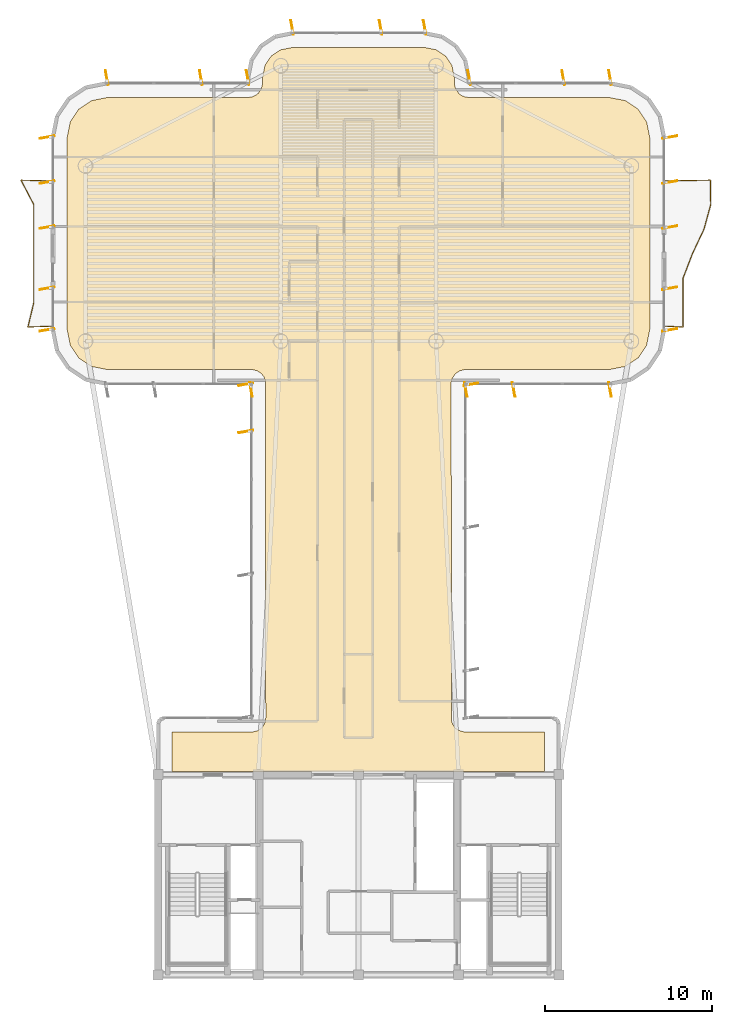
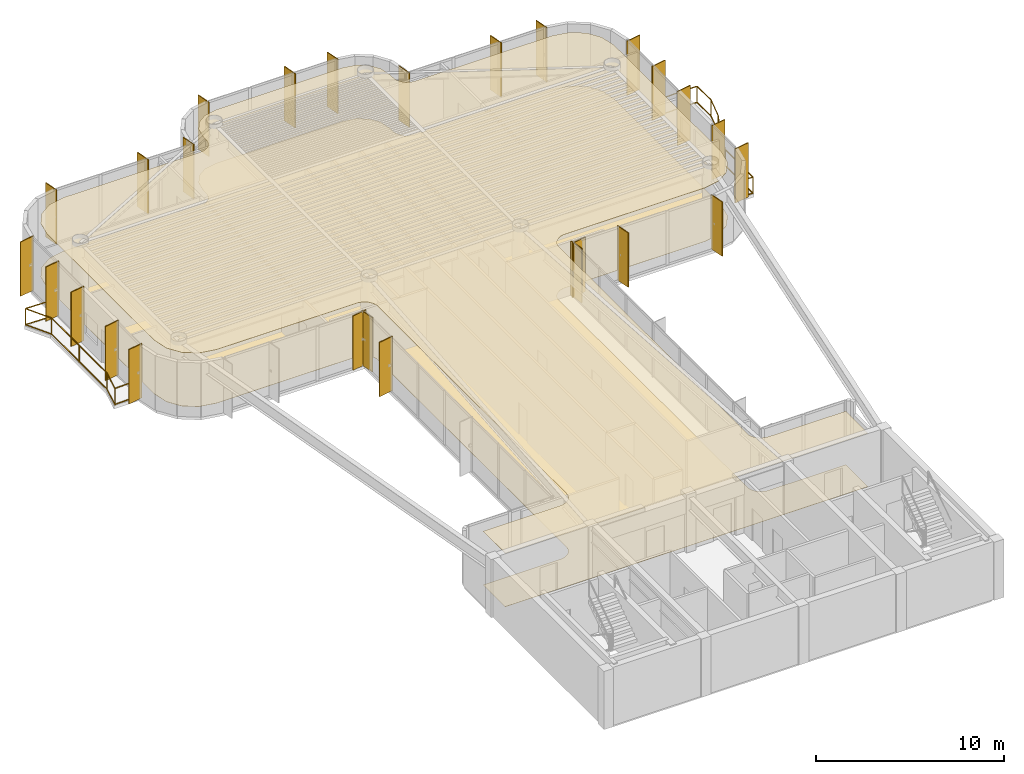
# One storey, part 15 of 15: 26 shading devices, 2 coverings, 2 railings.
"""IFC4 building model written with IfcOpenShell, lengths in metres."""

from ifc_helpers import new_model, si_unit, direction, frame, origin, origin_2d, place, context, subcontext, project, spatial, polyline, rectangle, outline, extrude, source, transform, mapped, material, layer, layer_set, material_profile, profile_set, type_object, element, save


model = new_model("IFC4")

# Units and contexts
model_context = context("Model", 3, precision=1e-05, world=origin(), true_north=direction((0.0, 1.0)))
body_context = subcontext(model_context, "Body", "Model", "MODEL_VIEW")
ifc_project = project(units=[si_unit("LENGTHUNIT", "METRE"), si_unit("AREAUNIT", "SQUARE_METRE"), si_unit("VOLUMEUNIT", "CUBIC_METRE"), si_unit("PLANEANGLEUNIT", "RADIAN"), si_unit("MASSUNIT", "GRAM", prefix="KILO")], contexts=[model_context])

# Site, building, storey
site_placement = place(None, origin())
site = spatial("IfcSite", under=ifc_project, at=site_placement, CompositionType="ELEMENT")
building_placement = place(site_placement, origin())
building = spatial("IfcBuilding", under=site, at=building_placement, Name="Brelvock Crest Care Tower", CompositionType="ELEMENT")
storey_placement = place(building_placement, frame((0.0, 0.0, 260.820068359375)))
storey = spatial("IfcBuildingStorey", under=building, at=storey_placement, Name="L66", CompositionType="ELEMENT", Elevation=260.820068359375)

# Coverings
ifc_material_1 = material(Name="Mineral Fibre Acoustic Ceiling Tile", Category="gypsum")
ifc_layer_1 = layer(ifc_material_1, 0.02490234375, Name="COV-CLG1")
ifc_layer_set_1 = layer_set([ifc_layer_1], Name="Mineral Fibre Acoustic Ceiling Tile")
covering_type_1 = type_object("IfcCoveringType", Name="COV-CLG1", PredefinedType="CEILING", material=ifc_layer_set_1)
covering_1_placement = place(storey_placement, frame((0.0, 0.0, 3.474853515625)))
element("IfcCovering", 1, at=covering_1_placement, inside=storey, type_object=covering_type_1, Name="L66 Acoustic Suspended Ceiling 1", PredefinedType="CEILING", context=body_context, shape_type="SweptSolid", body=[
    extrude(outline(polyline([(24.85009765625, 18.199951171875), (47.14990234375, 18.199951171875), (47.14990234375, 20.550048828125), (42.316650390625, 20.55419921875), (41.999267578125, 20.650390625), (41.799072265625, 20.799072265625), (41.650390625, 20.999267578125), (41.56640625, 21.234130859375), (41.55419921875, 41.4833984375), (41.61474609375, 41.725341796875), (41.799072265625, 42.0009765625), (42.07470703125, 42.185302734375), (42.316650390625, 42.245849609375), (51.016357421875, 42.25), (51.992919921875, 42.4443359375), (52.75, 42.9501953125), (53.255615234375, 43.70703125), (53.449951171875, 44.68359375), (53.449951171875, 56.1162109375), (53.255615234375, 57.093017578125), (52.75, 57.849853515625), (51.992919921875, 58.355712890625), (51.016357421875, 58.550048828125), (42.60009765625, 58.550048828125), (42.353271484375, 58.586669921875), (42.127685546875, 58.693359375), (41.9990234375, 58.799072265625), (41.814697265625, 59.07470703125), (41.754150390625, 59.316650390625), (41.75, 59.71630859375), (41.601318359375, 60.46337890625), (41.2255859375, 61.025634765625), (40.663330078125, 61.4013671875), (39.916259765625, 61.550048828125), (32.083740234375, 61.550048828125), (31.336669921875, 61.4013671875), (30.7744140625, 61.025634765625), (30.398681640625, 60.46337890625), (30.25, 59.71630859375), (30.245849609375, 59.316650390625), (30.185302734375, 59.07470703125), (30.0009765625, 58.799072265625), (29.872314453125, 58.693359375), (29.646728515625, 58.586669921875), (29.39990234375, 58.550048828125), (20.983642578125, 58.550048828125), (20.007080078125, 58.355712890625), (19.25, 57.849853515625), (18.744384765625, 57.093017578125), (18.550048828125, 56.1162109375), (18.550048828125, 44.68359375), (18.744384765625, 43.70703125), (19.25, 42.9501953125), (20.007080078125, 42.4443359375), (20.983642578125, 42.25), (29.683349609375, 42.245849609375), (29.92529296875, 42.185302734375), (30.200927734375, 42.0009765625), (30.349609375, 41.80078125), (30.43359375, 41.56591796875), (30.449951171875, 21.39990234375), (30.413330078125, 21.1533203125), (30.306640625, 20.927734375), (30.13916015625, 20.742919921875), (29.92529296875, 20.61474609375), (29.683349609375, 20.55419921875), (24.85009765625, 20.550048828125), (24.85009765625, 18.199951171875)])), origin(), (0.0, 0.0, 1.0), 0.025146484375),
])
ifc_material_2 = material(Name="Slip-Resistant Acoustic Vinyl Flooring", Category="finish")
ifc_layer_2 = layer(ifc_material_2, 0.014892578125, Name="COV-FLR1")
ifc_layer_set_2 = layer_set([ifc_layer_2], Name="Slip-Resistant Acoustic Vinyl Flooring")
covering_type_2 = type_object("IfcCoveringType", Name="COV-FLR1", PredefinedType="FLOORING", material=ifc_layer_set_2)
covering_2_placement = place(storey_placement, origin())
element("IfcCovering", 2, at=covering_2_placement, inside=storey, type_object=covering_type_2, Name="L66 Slip-Resistant Acoustic Flooring 1", PredefinedType="FLOORING", context=body_context, shape_type="SweptSolid", body=[
    extrude(outline(polyline([(24.85009765625, 18.199951171875), (47.14990234375, 18.199951171875), (47.14990234375, 20.550048828125), (42.316650390625, 20.55419921875), (41.999267578125, 20.650390625), (41.799072265625, 20.799072265625), (41.650390625, 20.999267578125), (41.56640625, 21.234130859375), (41.55419921875, 41.4833984375), (41.61474609375, 41.725341796875), (41.799072265625, 42.0009765625), (42.07470703125, 42.185302734375), (42.316650390625, 42.245849609375), (51.016357421875, 42.25), (51.992919921875, 42.4443359375), (52.75, 42.9501953125), (53.255615234375, 43.70703125), (53.449951171875, 44.68359375), (53.449951171875, 56.1162109375), (53.255615234375, 57.093017578125), (52.75, 57.849853515625), (51.992919921875, 58.355712890625), (51.016357421875, 58.550048828125), (42.60009765625, 58.550048828125), (42.353271484375, 58.586669921875), (42.127685546875, 58.693359375), (41.9990234375, 58.799072265625), (41.814697265625, 59.07470703125), (41.754150390625, 59.316650390625), (41.75, 59.71630859375), (41.601318359375, 60.46337890625), (41.2255859375, 61.025634765625), (40.663330078125, 61.4013671875), (39.916259765625, 61.550048828125), (32.083740234375, 61.550048828125), (31.336669921875, 61.4013671875), (30.7744140625, 61.025634765625), (30.398681640625, 60.46337890625), (30.25, 59.71630859375), (30.245849609375, 59.316650390625), (30.185302734375, 59.07470703125), (30.0009765625, 58.799072265625), (29.872314453125, 58.693359375), (29.646728515625, 58.586669921875), (29.39990234375, 58.550048828125), (20.983642578125, 58.550048828125), (20.007080078125, 58.355712890625), (19.25, 57.849853515625), (18.744384765625, 57.093017578125), (18.550048828125, 56.1162109375), (18.550048828125, 44.68359375), (18.744384765625, 43.70703125), (19.25, 42.9501953125), (20.007080078125, 42.4443359375), (20.983642578125, 42.25), (29.683349609375, 42.245849609375), (29.92529296875, 42.185302734375), (30.200927734375, 42.0009765625), (30.349609375, 41.80078125), (30.43359375, 41.56591796875), (30.449951171875, 21.39990234375), (30.413330078125, 21.1533203125), (30.306640625, 20.927734375), (30.13916015625, 20.742919921875), (29.92529296875, 20.61474609375), (29.683349609375, 20.55419921875), (24.85009765625, 20.550048828125), (24.85009765625, 18.199951171875)])), origin(), (0.0, 0.0, 1.0), 0.014892578125),
])

# Railings
ifc_material_3 = material(Name="Dark Glass Double Glazed Low-E", Category="glass")
ifc_layer_3 = layer(ifc_material_3, 0.06005859375, Name="RL-BAL1")
ifc_layer_set_3 = layer_set([ifc_layer_3], Name="Dark Glass Double Glazed Low-E")
railing_type = type_object("IfcRailingType", Name="RL-BAL1", PredefinedType="BALUSTRADE", material=ifc_layer_set_3)
railing_1_placement = place(storey_placement, frame((17.659912109375, 44.85009765625, 0.00390625)))
element("IfcRailing", 3, at=railing_1_placement, inside=storey, type_object=railing_type, Name="L66 Safety Balustrade WB-W", PredefinedType="BALUSTRADE", context=body_context, shape_type="SweptSolid", body=[
    extrude(rectangle(XDim=0.048095703125, YDim=0.048095703125, at=origin_2d()), frame((-0.001953125, 0.0, 1.09619140625), z_axis=(-0.999404799616, -0.034497050669, 0.0), x_axis=(0.034497050669, -0.999404799616, 0.0)), (0.0, 0.0, 1.0), 1.44677734375),
    extrude(rectangle(XDim=0.048095703125, YDim=0.048095703125, at=origin_2d()), frame((-0.001953125, 0.0, 0.054931640625), z_axis=(-0.999404799616, -0.034497050669, 0.0), x_axis=(0.034497050669, -0.999404799616, 0.0)), (0.0, 0.0, 1.0), 1.44677734375),
    extrude(rectangle(XDim=0.048095703125, YDim=0.048095703125, at=origin_2d()), frame((-1.449462890625, -0.048095703125, 1.09619140625), z_axis=(0.232196944837, 0.972668791937, 0.0), x_axis=(-0.972668791937, 0.232196944837, 0.0)), (0.0, 0.0, 1.0), 1.503662109375),
    extrude(rectangle(XDim=0.048095703125, YDim=0.048095703125, at=origin_2d()), frame((-1.449462890625, -0.048095703125, 0.054931640625), z_axis=(0.232196944837, 0.972668791937, 0.0), x_axis=(-0.972668791937, 0.232196944837, 0.0)), (0.0, 0.0, 1.0), 1.503662109375),
    extrude(rectangle(XDim=0.048095703125, YDim=0.048095703125, at=origin_2d()), frame((-1.099853515625, 1.41845703125, 1.09619140625), z_axis=(-0.000124843944, 0.999999992207, 0.0), x_axis=(-0.999999992207, -0.000124843944, 0.0)), (0.0, 0.0, 1.0), 5.86279296875),
    extrude(rectangle(XDim=0.048095703125, YDim=0.048095703125, at=origin_2d()), frame((-1.099853515625, 1.41845703125, 0.054931640625), z_axis=(-0.000124843944, 0.999999992207, 0.0), x_axis=(-0.999999992207, -0.000124843944, 0.0)), (0.0, 0.0, 1.0), 5.86279296875),
    extrude(rectangle(XDim=0.048095703125, YDim=0.048095703125, at=origin_2d()), frame((-1.1015625, 7.284912109375, 1.09619140625), z_axis=(-0.463191013929, 0.88625847506, 0.0), x_axis=(-0.88625847506, -0.463191013929, 0.0)), (0.0, 0.0, 1.0), 1.651123046875),
    extrude(rectangle(XDim=0.048095703125, YDim=0.048095703125, at=origin_2d()), frame((-1.1015625, 7.284912109375, 0.054931640625), z_axis=(-0.463191013929, 0.88625847506, 0.0), x_axis=(-0.88625847506, -0.463191013929, 0.0)), (0.0, 0.0, 1.0), 1.651123046875),
    extrude(rectangle(XDim=0.048095703125, YDim=0.048095703125, at=origin_2d()), frame((-1.865234375, 8.75, 1.09619140625), z_axis=(0.999640955712, -0.026794769341, 0.0), x_axis=(0.026794769341, 0.999640955712, 0.0)), (0.0, 0.0, 1.0), 1.86376953125),
    extrude(rectangle(XDim=0.048095703125, YDim=0.048095703125, at=origin_2d()), frame((-1.865234375, 8.75, 0.054931640625), z_axis=(0.999640955712, -0.026794769341, 0.0), x_axis=(0.026794769341, 0.999640955712, 0.0)), (0.0, 0.0, 1.0), 1.86376953125),
    extrude(rectangle(XDim=0.0419921875, YDim=0.0419921875, at=origin_2d()), origin(), (0.0, 0.0, 1.0), 1.070068359375),
    extrude(rectangle(XDim=0.0419921875, YDim=0.0419921875, at=origin_2d()), frame((-1.449951171875, -0.050048828125, 0.0)), (0.0, 0.0, 1.0), 1.070068359375),
    extrude(rectangle(XDim=0.0419921875, YDim=0.0419921875, at=origin_2d()), frame((-1.099853515625, 1.41650390625, 0.0)), (0.0, 0.0, 1.0), 1.070068359375),
    extrude(rectangle(XDim=0.0419921875, YDim=0.0419921875, at=origin_2d()), frame((-1.10009765625, 4.349853515625, 0.0)), (0.0, 0.0, 1.0), 1.070068359375),
    extrude(rectangle(XDim=0.0419921875, YDim=0.0419921875, at=origin_2d()), frame((-1.1005859375, 7.283203125, 0.0)), (0.0, 0.0, 1.0), 1.070068359375),
    extrude(rectangle(XDim=0.0419921875, YDim=0.0419921875, at=origin_2d()), frame((-1.8671875, 8.75, 0.0)), (0.0, 0.0, 1.0), 1.070068359375),
    extrude(rectangle(XDim=0.0419921875, YDim=0.0419921875, at=origin_2d()), frame((0.0, 8.699951171875, 0.0)), (0.0, 0.0, 1.0), 1.070068359375),
])
railing_2_placement = place(storey_placement, frame((54.340087890625, 44.85009765625, 0.00390625)))
element("IfcRailing", 4, at=railing_2_placement, inside=storey, type_object=railing_type, Name="L66 Safety Balustrade WB-E", PredefinedType="BALUSTRADE", context=body_context, shape_type="SweptSolid", body=[
    extrude(rectangle(XDim=0.048095703125, YDim=0.048095703125, at=origin_2d()), frame((0.001953125, 0.0, 1.09619140625), z_axis=(0.998966252902, -0.045457953795, 0.0), x_axis=(0.045457953795, 0.998966252902, 0.0)), (0.0, 0.0, 1.0), 1.096923828125),
    extrude(rectangle(XDim=0.048095703125, YDim=0.048095703125, at=origin_2d()), frame((0.001953125, 0.0, 0.054931640625), z_axis=(0.998966252902, -0.045457953795, 0.0), x_axis=(0.045457953795, 0.998966252902, 0.0)), (0.0, 0.0, 1.0), 1.096923828125),
    extrude(rectangle(XDim=0.048095703125, YDim=0.048095703125, at=origin_2d()), frame((1.099853515625, -0.048095703125, 1.09619140625), z_axis=(0.0, 1.0, 0.0), x_axis=(-1.0, 0.0, 0.0)), (0.0, 0.0, 1.0), 2.929443359375),
    extrude(rectangle(XDim=0.048095703125, YDim=0.048095703125, at=origin_2d()), frame((1.099853515625, -0.048095703125, 0.054931640625), z_axis=(0.0, 1.0, 0.0), x_axis=(-1.0, 0.0, 0.0)), (0.0, 0.0, 1.0), 2.929443359375),
    extrude(rectangle(XDim=0.048095703125, YDim=0.048095703125, at=origin_2d()), frame((1.1005859375, 2.88525390625, 1.09619140625), z_axis=(0.357436663677, 0.933937380909, 0.0), x_axis=(-0.933937380909, 0.357436663677, 0.0)), (0.0, 0.0, 1.0), 1.56640625),
    extrude(rectangle(XDim=0.048095703125, YDim=0.048095703125, at=origin_2d()), frame((1.1005859375, 2.88525390625, 0.054931640625), z_axis=(0.357436663677, 0.933937380909, 0.0), x_axis=(-0.933937380909, 0.357436663677, 0.0)), (0.0, 0.0, 1.0), 1.56640625),
    extrude(rectangle(XDim=0.048095703125, YDim=0.048095703125, at=origin_2d()), frame((1.661865234375, 4.3515625, 1.09619140625), z_axis=(0.426746449171, 0.904371310978, 0.0), x_axis=(-0.904371310978, 0.426746449171, 0.0)), (0.0, 0.0, 1.0), 1.617919921875),
    extrude(rectangle(XDim=0.048095703125, YDim=0.048095703125, at=origin_2d()), frame((1.661865234375, 4.3515625, 0.054931640625), z_axis=(0.426746449171, 0.904371310978, 0.0), x_axis=(-0.904371310978, 0.426746449171, 0.0)), (0.0, 0.0, 1.0), 1.617919921875),
    extrude(rectangle(XDim=0.048095703125, YDim=0.048095703125, at=origin_2d()), frame((2.353759765625, 5.818603515625, 1.09619140625), z_axis=(0.263525028953, 0.964652558756, 0.0), x_axis=(-0.964652558756, 0.263525028953, 0.0)), (0.0, 0.0, 1.0), 1.516357421875),
    extrude(rectangle(XDim=0.048095703125, YDim=0.048095703125, at=origin_2d()), frame((2.353759765625, 5.818603515625, 0.054931640625), z_axis=(0.263525028953, 0.964652558756, 0.0), x_axis=(-0.964652558756, 0.263525028953, 0.0)), (0.0, 0.0, 1.0), 1.516357421875),
    extrude(rectangle(XDim=0.048095703125, YDim=0.048095703125, at=origin_2d()), frame((2.75390625, 7.28515625, 1.09619140625), z_axis=(-0.013647197663, 0.999906872662, 0.0), x_axis=(-0.999906872662, -0.013647197663, 0.0)), (0.0, 0.0, 1.0), 1.462890625),
    extrude(rectangle(XDim=0.048095703125, YDim=0.048095703125, at=origin_2d()), frame((2.75390625, 7.28515625, 0.054931640625), z_axis=(-0.013647197663, 0.999906872662, 0.0), x_axis=(-0.999906872662, -0.013647197663, 0.0)), (0.0, 0.0, 1.0), 1.462890625),
    extrude(rectangle(XDim=0.048095703125, YDim=0.048095703125, at=origin_2d()), frame((2.73193359375, 8.75, 1.09619140625), z_axis=(-0.999832471903, -0.018303773597, 0.0), x_axis=(0.018303773597, -0.999832471903, 0.0)), (0.0, 0.0, 1.0), 2.730224609375),
    extrude(rectangle(XDim=0.048095703125, YDim=0.048095703125, at=origin_2d()), frame((2.73193359375, 8.75, 0.054931640625), z_axis=(-0.999832471903, -0.018303773597, 0.0), x_axis=(0.018303773597, -0.999832471903, 0.0)), (0.0, 0.0, 1.0), 2.730224609375),
    extrude(rectangle(XDim=0.0419921875, YDim=0.0419921875, at=origin_2d()), origin(), (0.0, 0.0, 1.0), 1.070068359375),
    extrude(rectangle(XDim=0.0419921875, YDim=0.0419921875, at=origin_2d()), frame((1.099853515625, -0.050048828125, 0.0)), (0.0, 0.0, 1.0), 1.070068359375),
    extrude(rectangle(XDim=0.0419921875, YDim=0.0419921875, at=origin_2d()), frame((1.099853515625, 2.88330078125, 0.0)), (0.0, 0.0, 1.0), 1.070068359375),
    extrude(rectangle(XDim=0.0419921875, YDim=0.0419921875, at=origin_2d()), frame((1.6611328125, 4.349853515625, 0.0)), (0.0, 0.0, 1.0), 1.070068359375),
    extrude(rectangle(XDim=0.0419921875, YDim=0.0419921875, at=origin_2d()), frame((2.353271484375, 5.816650390625, 0.0)), (0.0, 0.0, 1.0), 1.070068359375),
    extrude(rectangle(XDim=0.0419921875, YDim=0.0419921875, at=origin_2d()), frame((2.75390625, 7.283203125, 0.0)), (0.0, 0.0, 1.0), 1.070068359375),
    extrude(rectangle(XDim=0.0419921875, YDim=0.0419921875, at=origin_2d()), frame((2.73388671875, 8.75, 0.0)), (0.0, 0.0, 1.0), 1.070068359375),
    extrude(rectangle(XDim=0.0419921875, YDim=0.0419921875, at=origin_2d()), frame((0.0, 8.699951171875, 0.0)), (0.0, 0.0, 1.0), 1.070068359375),
])

# Shading devices
ifc_material_4 = material(Name="Aluminium 6063-T6", Category="aluminium")
ifc_material_profile = material_profile(ifc_material_4, rectangle(XDim=0.054931640625, YDim=0.89990234375, at=origin_2d()), Name="FIN55x900")
ifc_profile_set = profile_set([ifc_material_profile], Name="Aluminium 6063-T6")
shading_device_type = type_object("IfcShadingDeviceType", Name="SHD-FIN1", PredefinedType="USERDEFINED", material=ifc_profile_set)
shared_shape = source(origin(), body_context, "Body", "SweptSolid", [
    extrude(rectangle(XDim=0.054931640625, YDim=0.89990234375, at=origin_2d()), origin(), (0.0, 0.0, 1.0), 3.530029296875),
])
for number, where, z_axis, x_axis, name in (
    (5, (29.260009765625, 38.54296875, 0.0), (0.0, 0.0, 1.0), (-0.173648177667, 0.984807753012, 0.0), "L66 Vertical Sunshade Fin E11-07"),
    (6, (29.260009765625, 41.3701171875, 0.0), (0.0, 0.0, 1.0), (-0.173648177667, 0.984807753012, 0.0), "L66 Vertical Sunshade Fin E11-08"),
    (7, (29.570068359375, 41.06005859375, 0.0), (0.0, 0.0, 1.0), (-0.984807753012, -0.173648177667, 0.0), "L66 Vertical Sunshade Fin E12-01"),
    (8, (17.360107421875, 44.6298828125, 0.0), (0.0, 0.0, 1.0), (-0.173648177667, 0.984807753012, 0.0), "L66 Vertical Sunshade Fin E17A-01"),
    (9, (17.360107421875, 47.1201171875, 0.0), (0.0, 0.0, 1.0), (-0.173648177667, 0.984807753012, 0.0), "L66 Vertical Sunshade Fin E17A-02"),
    (10, (17.360107421875, 50.780029296875, 0.0), (0.0, 0.0, 1.0), (-0.173648177667, 0.984807753012, 0.0), "L66 Vertical Sunshade Fin E17B-01"),
    (11, (17.360107421875, 53.47509765625, 0.0), (0.0, 0.0, 1.0), (-0.173648177667, 0.984807753012, 0.0), "L66 Vertical Sunshade Fin E17B-02"),
    (12, (17.360107421875, 56.169921875, 0.0), (0.0, 0.0, 1.0), (-0.173648177667, 0.984807753012, 0.0), "L66 Vertical Sunshade Fin E17B-03"),
    (13, (20.929931640625, 59.739990234375, 0.0), (0.0, 0.0, 1.0), (0.984807753012, 0.173648177667, 0.0), "L66 Vertical Sunshade Fin E22-01"),
    (14, (26.566650390625, 59.739990234375, 0.0), (0.0, 0.0, 1.0), (0.984807753012, 0.173648177667, 0.0), "L66 Vertical Sunshade Fin E22-03"),
    (15, (29.3701171875, 59.739990234375, 0.0), (0.0, 0.0, 1.0), (0.984807753012, 0.173648177667, 0.0), "L66 Vertical Sunshade Fin E22-04"),
    (16, (32.030029296875, 62.739990234375, 0.0), (0.0, 0.0, 1.0), (0.984807753012, 0.173648177667, 0.0), "L66 Vertical Sunshade Fin E28-01"),
    (17, (37.333251953125, 62.739990234375, 0.0), (0.0, 0.0, 1.0), (0.984807753012, 0.173648177667, 0.0), "L66 Vertical Sunshade Fin E28-03"),
    (18, (39.969970703125, 62.739990234375, 0.0), (0.0, 0.0, 1.0), (0.984807753012, 0.173648177667, 0.0), "L66 Vertical Sunshade Fin E28-04"),
    (19, (42.6298828125, 59.739990234375, 0.0), (0.0, 0.0, 1.0), (0.984807753012, 0.173648177667, 0.0), "L66 Vertical Sunshade Fin E34-01"),
    (20, (48.2666015625, 59.739990234375, 0.0), (0.0, 0.0, 1.0), (0.984807753012, 0.173648177667, 0.0), "L66 Vertical Sunshade Fin E34-03"),
    (21, (51.070068359375, 59.739990234375, 0.0), (0.0, 0.0, 1.0), (0.984807753012, 0.173648177667, 0.0), "L66 Vertical Sunshade Fin E34-04"),
    (22, (54.639892578125, 56.169921875, 0.0), (0.0, 0.0, 1.0), (0.173648177667, -0.984807753012, 0.0), "L66 Vertical Sunshade Fin E39A-01"),
    (23, (54.639892578125, 53.47509765625, 0.0), (0.0, 0.0, 1.0), (0.173648177667, -0.984807753012, 0.0), "L66 Vertical Sunshade Fin E39A-02"),
    (24, (54.639892578125, 50.780029296875, 0.0), (0.0, 0.0, 1.0), (0.173648177667, -0.984807753012, 0.0), "L66 Vertical Sunshade Fin E39A-03"),
    (25, (54.639892578125, 47.1201171875, 0.0), (0.0, 0.0, 1.0), (0.173648177667, -0.984807753012, 0.0), "L66 Vertical Sunshade Fin E39B-01"),
    (26, (54.639892578125, 44.6298828125, 0.0), (0.0, 0.0, 1.0), (0.173648177667, -0.984807753012, 0.0), "L66 Vertical Sunshade Fin E39B-02"),
    (27, (51.070068359375, 41.06005859375, 0.0), (0.0, 0.0, 1.0), (-0.984807753012, -0.173648177667, 0.0), "L66 Vertical Sunshade Fin E44-01"),
    (28, (45.300048828125, 41.06005859375, 0.0), (0.0, 0.0, 1.0), (-0.984807753012, -0.173648177667, 0.0), "L66 Vertical Sunshade Fin E44-03"),
    (29, (42.429931640625, 41.06005859375, 0.0), (0.0, 0.0, 1.0), (-0.984807753012, -0.173648177667, 0.0), "L66 Vertical Sunshade Fin E44-04"),
    (30, (42.739990234375, 41.3701171875, 0.0), (0.0, 0.0, 1.0), (0.173648177667, -0.984807753012, 0.0), "L66 Vertical Sunshade Fin E45-01"),
):
    element("IfcShadingDevice", number, at=place(storey_placement, frame(where, z_axis=z_axis, x_axis=x_axis)), inside=storey, type_object=shading_device_type, Name=name, ObjectType="FIN", PredefinedType="USERDEFINED", context=body_context, shape_type="MappedRepresentation", body=[
        mapped(shared_shape, transform((0.0, 0.0, 0.0), x_axis=(1.0, 0.0, 0.0), y_axis=(0.0, 1.0, 0.0), z_axis=(0.0, 0.0, 1.0), scale=1.0)),
    ])

save(model, "model.ifc")
